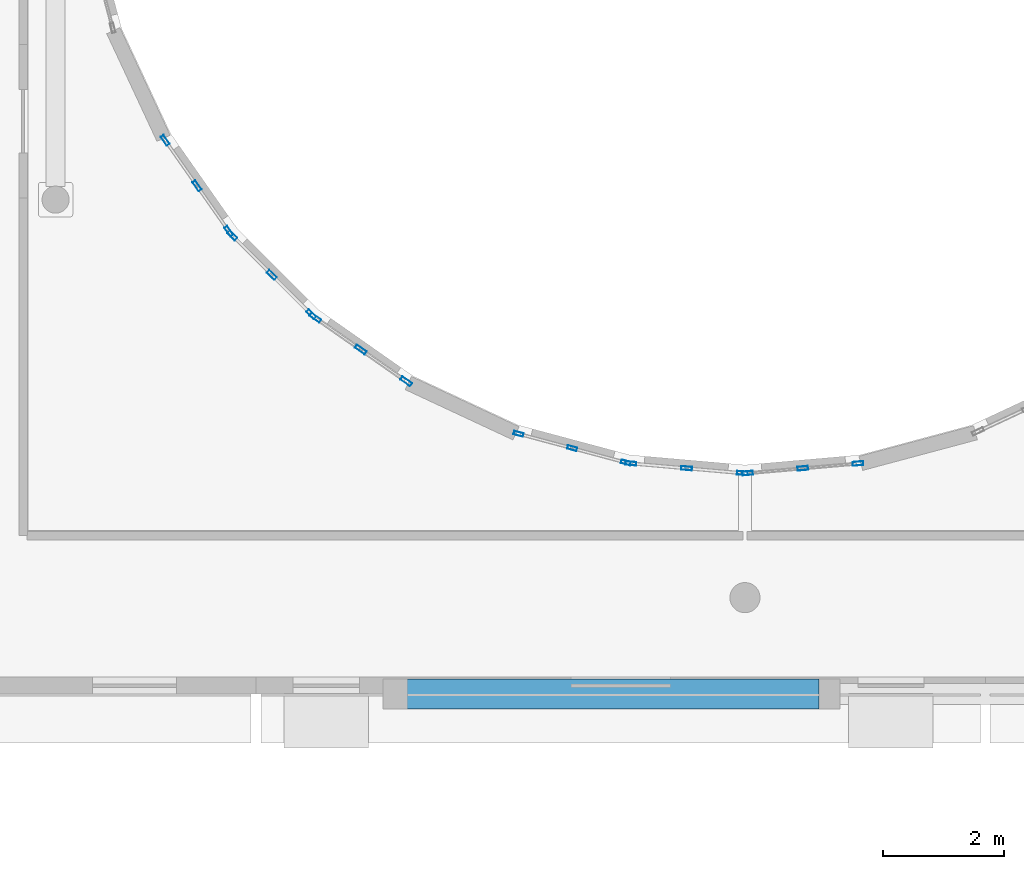
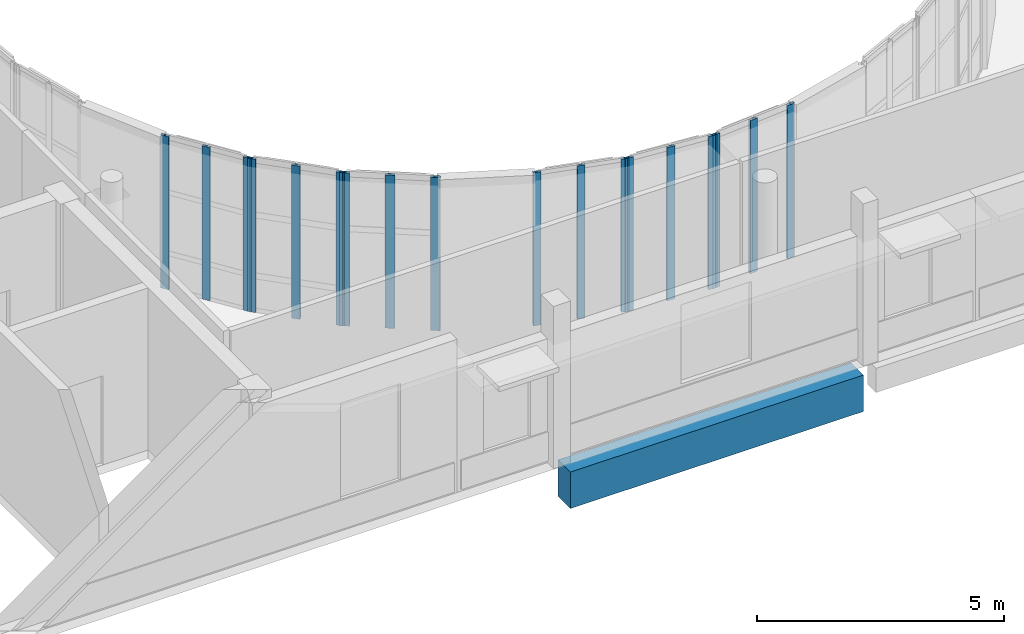
# One storey, part 16 of 89: 18 members, 1 beam, 6 elements without a shape of their own.
"""IFC4 building model written with IfcOpenShell, lengths in metres."""

from ifc_helpers import new_model, si_unit, direction, frame, origin, origin_2d, place, context, subcontext, project, spatial, rectangle, hollow_rectangle, extrude, material, layer, layer_set, material_profile, profile_set, type_object, element, aggregate, save


model = new_model("IFC4")

# Units and contexts
model_context = context("Model", 3, precision=1e-05, world=origin(), true_north=direction((0.0, 1.0)))
body_context = subcontext(model_context, "Body", "Model", "MODEL_VIEW")
ifc_project = project(units=[si_unit("LENGTHUNIT", "METRE"), si_unit("AREAUNIT", "SQUARE_METRE"), si_unit("VOLUMEUNIT", "CUBIC_METRE"), si_unit("PLANEANGLEUNIT", "RADIAN"), si_unit("MASSUNIT", "GRAM", prefix="KILO")], contexts=[model_context])

# Site, building, storey
site_placement = place(None, origin())
site = spatial("IfcSite", under=ifc_project, at=site_placement, CompositionType="ELEMENT")
building_placement = place(site_placement, origin())
building = spatial("IfcBuilding", under=site, at=building_placement, Name="Kelanivale Promenade Academy", CompositionType="ELEMENT")
storey_placement = place(building_placement, frame((0.0, 0.0, 12.199951171875)))
storey = spatial("IfcBuildingStorey", under=building, at=storey_placement, Name="L03", CompositionType="ELEMENT", Elevation=12.199951171875)

# Beam
ifc_material_1 = material(Name="Concrete C35/45", Category="concrete")
ifc_material_profile_1 = material_profile(ifc_material_1, rectangle(XDim=0.5, YDim=0.89990234375, at=origin_2d()), Name="RC-BM 500x900")
ifc_profile_set_1 = profile_set([ifc_material_profile_1], Name="Concrete C35/45")
beam_type = type_object("IfcBeamType", Name="BM-08 RC-BM 500x900", PredefinedType="BEAM", material=ifc_profile_set_1)
beam_placement = place(storey_placement, frame((57.794921875, 42.0, -0.669921875), z_axis=(1.0, 0.0, 0.0), x_axis=(0.0, 1.0, 0.0)))
element("IfcBeam", 1, at=beam_placement, inside=storey, type_object=beam_type, Name="L03 girder BM-08", PredefinedType="BEAM", context=body_context, shape_type="SweptSolid", body=[
    extrude(rectangle(XDim=0.5, YDim=0.89990234375, at=origin_2d()), origin(), (0.0, 0.0, 1.0), 6.8349609375),
])

# Curtain wall, members
ifc_material_2 = material(Name="Bronze anodised aluminium and solar-control low-E glass", Category="aluminium")
ifc_layer_1 = layer(ifc_material_2, 0.179931640625)
ifc_layer_set_1 = layer_set([ifc_layer_1], Name="Bronze anodised aluminium and solar-control low-E glass")
curtain_wall_type_1 = type_object("IfcCurtainWallType", Name="CW-05 Curtain Wall 1950mm Module", PredefinedType="USERDEFINED", material=ifc_layer_set_1)
curtain_wall_1_placement = place(storey_placement, origin())
curtain_wall_1 = element("IfcCurtainWall", 2, at=curtain_wall_1_placement, inside=storey, type_object=curtain_wall_type_1, Name="L03 courtyard curtain wall CW-05", ObjectType="UNITISED GLAZING", PredefinedType="USERDEFINED")
ifc_material_3 = material(Name="Bronze anodised aluminium EN AW-6063 T6", Category="aluminium")
ifc_material_profile_2 = material_profile(ifc_material_3, hollow_rectangle(XDim=0.06005859375, YDim=0.159912109375, WallThickness=0.00390625, at=origin_2d()), Name="ALU 60x160x4.0")
ifc_profile_set_2 = profile_set([ifc_material_profile_2], Name="Bronze anodised aluminium EN AW-6063 T6")
member_type_1 = type_object("IfcMemberType", Name="CWM-01 ALU 60x160x4.0", PredefinedType="MULLION", material=ifc_profile_set_2)
member_1_placement = place(storey_placement, frame((59.64501953125, 46.316162109375, 0.0), z_axis=(0.0, 0.0, 1.0), x_axis=(0.258578458902, 0.965990259056, 0.0)))
member_1 = element("IfcMember", 3, at=member_1_placement, type_object=member_type_1, Name="CW-05 mullion 1", PredefinedType="MULLION", context=body_context, shape_type="SweptSolid", body=[
    extrude(hollow_rectangle(XDim=0.06005859375, YDim=0.159912109375, WallThickness=0.00390625, at=origin_2d()), origin(), (0.0, 0.0, 1.0), 3.780029296875),
])
member_2_placement = place(storey_placement, frame((60.534912109375, 46.077880859375, 0.0), z_axis=(0.0, 0.0, 1.0), x_axis=(0.258578458902, 0.965990259056, 0.0)))
member_2 = element("IfcMember", 4, at=member_2_placement, type_object=member_type_1, Name="CW-05 mullion 2", PredefinedType="MULLION", context=body_context, shape_type="SweptSolid", body=[
    extrude(hollow_rectangle(XDim=0.06005859375, YDim=0.159912109375, WallThickness=0.00390625, at=origin_2d()), origin(), (0.0, 0.0, 1.0), 3.780029296875),
])
member_3_placement = place(storey_placement, frame((61.425048828125, 45.83984375, 0.0), z_axis=(0.0, 0.0, 1.0), x_axis=(0.258578458902, 0.965990259056, 0.0)))
member_3 = element("IfcMember", 5, at=member_3_placement, type_object=member_type_1, Name="CW-05 mullion 3", PredefinedType="MULLION", context=body_context, shape_type="SweptSolid", body=[
    extrude(hollow_rectangle(XDim=0.06005859375, YDim=0.159912109375, WallThickness=0.00390625, at=origin_2d()), origin(), (0.0, 0.0, 1.0), 3.780029296875),
])
aggregate(curtain_wall_1, [member_1, member_2, member_3])

ifc_layer_2 = layer(ifc_material_2, 0.179931640625)
ifc_layer_set_2 = layer_set([ifc_layer_2], Name="Bronze anodised aluminium and solar-control low-E glass")
curtain_wall_type_2 = type_object("IfcCurtainWallType", Name="CW-02 Curtain Wall 1500mm Module", PredefinedType="USERDEFINED", material=ifc_layer_set_2)
curtain_wall_2_placement = place(storey_placement, origin())
curtain_wall_2 = element("IfcCurtainWall", 6, at=curtain_wall_2_placement, inside=storey, type_object=curtain_wall_type_2, Name="L03 courtyard curtain wall CW-02", ObjectType="UNITISED GLAZING", PredefinedType="USERDEFINED")
ifc_material_profile_3 = material_profile(ifc_material_3, hollow_rectangle(XDim=0.06005859375, YDim=0.179931640625, WallThickness=0.00390625, at=origin_2d()), Name="ALU 60x180x4.0")
ifc_profile_set_3 = profile_set([ifc_material_profile_3], Name="Bronze anodised aluminium EN AW-6063 T6")
member_type_2 = type_object("IfcMemberType", Name="CWM-02 ALU 60x180x4.0", PredefinedType="MULLION", material=ifc_profile_set_3)
member_4_placement = place(storey_placement, frame((53.78515625, 51.183349609375, 0.0), z_axis=(0.0, 0.0, 1.0), x_axis=(0.819305982099, 0.573356527561, 0.0)))
member_4 = element("IfcMember", 7, at=member_4_placement, type_object=member_type_2, Name="CW-02 mullion 1", PredefinedType="MULLION", context=body_context, shape_type="SweptSolid", body=[
    extrude(hollow_rectangle(XDim=0.06005859375, YDim=0.179931640625, WallThickness=0.00390625, at=origin_2d()), origin(), (0.0, 0.0, 1.0), 3.780029296875),
])
member_5_placement = place(storey_placement, frame((54.3134765625, 50.428466796875, 0.0), z_axis=(0.0, 0.0, 1.0), x_axis=(0.819305982099, 0.573356527561, 0.0)))
member_5 = element("IfcMember", 8, at=member_5_placement, type_object=member_type_2, Name="CW-02 mullion 2", PredefinedType="MULLION", context=body_context, shape_type="SweptSolid", body=[
    extrude(hollow_rectangle(XDim=0.06005859375, YDim=0.179931640625, WallThickness=0.00390625, at=origin_2d()), origin(), (0.0, 0.0, 1.0), 3.780029296875),
])
member_6_placement = place(storey_placement, frame((54.841796875, 49.673583984375, 0.0), z_axis=(0.0, 0.0, 1.0), x_axis=(0.819305982099, 0.573356527561, 0.0)))
member_6 = element("IfcMember", 9, at=member_6_placement, type_object=member_type_2, Name="CW-02 mullion 3", PredefinedType="MULLION", context=body_context, shape_type="SweptSolid", body=[
    extrude(hollow_rectangle(XDim=0.06005859375, YDim=0.179931640625, WallThickness=0.00390625, at=origin_2d()), origin(), (0.0, 0.0, 1.0), 3.780029296875),
])
aggregate(curtain_wall_2, [member_4, member_5, member_6])

ifc_layer_3 = layer(ifc_material_2, 0.159912109375)
ifc_layer_set_3 = layer_set([ifc_layer_3], Name="Bronze anodised aluminium and solar-control low-E glass")
curtain_wall_type_3 = type_object("IfcCurtainWallType", Name="CW-06 Curtain Wall 1200mm Module", PredefinedType="USERDEFINED", material=ifc_layer_set_3)
curtain_wall_3_placement = place(storey_placement, origin())
curtain_wall_3 = element("IfcCurtainWall", 10, at=curtain_wall_3_placement, inside=storey, type_object=curtain_wall_type_3, Name="L03 courtyard curtain wall CW-06", ObjectType="UNITISED GLAZING", PredefinedType="USERDEFINED")
member_7_placement = place(storey_placement, frame((61.5078125, 45.825439453125, 0.0), z_axis=(0.0, 0.0, 1.0), x_axis=(0.087102249164, 0.996199376727, 0.0)))
member_7 = element("IfcMember", 11, at=member_7_placement, type_object=member_type_2, Name="CW-06 mullion 1", PredefinedType="MULLION", context=body_context, shape_type="SweptSolid", body=[
    extrude(hollow_rectangle(XDim=0.06005859375, YDim=0.179931640625, WallThickness=0.00390625, at=origin_2d()), origin(), (0.0, 0.0, 1.0), 3.780029296875),
])
member_8_placement = place(storey_placement, frame((62.43310546875, 45.744384765625, 0.0), z_axis=(0.0, 0.0, 1.0), x_axis=(0.087102249164, 0.996199376727, 0.0)))
member_8 = element("IfcMember", 12, at=member_8_placement, type_object=member_type_2, Name="CW-06 mullion 2", PredefinedType="MULLION", context=body_context, shape_type="SweptSolid", body=[
    extrude(hollow_rectangle(XDim=0.06005859375, YDim=0.179931640625, WallThickness=0.00390625, at=origin_2d()), origin(), (0.0, 0.0, 1.0), 3.780029296875),
])
member_9_placement = place(storey_placement, frame((63.358154296875, 45.66357421875, 0.0), z_axis=(0.0, 0.0, 1.0), x_axis=(0.087102249164, 0.996199376727, 0.0)))
member_9 = element("IfcMember", 13, at=member_9_placement, type_object=member_type_2, Name="CW-06 mullion 3", PredefinedType="MULLION", context=body_context, shape_type="SweptSolid", body=[
    extrude(hollow_rectangle(XDim=0.06005859375, YDim=0.179931640625, WallThickness=0.00390625, at=origin_2d()), origin(), (0.0, 0.0, 1.0), 3.780029296875),
])
aggregate(curtain_wall_3, [member_7, member_8, member_9])

ifc_layer_4 = layer(ifc_material_2, 0.159912109375)
ifc_layer_set_4 = layer_set([ifc_layer_4], Name="Bronze anodised aluminium and solar-control low-E glass")
curtain_wall_type_4 = type_object("IfcCurtainWallType", Name="CW-03 Curtain Wall 1650mm Module", PredefinedType="USERDEFINED", material=ifc_layer_set_4)
curtain_wall_4_placement = place(storey_placement, origin())
curtain_wall_4 = element("IfcCurtainWall", 14, at=curtain_wall_4_placement, inside=storey, type_object=curtain_wall_type_4, Name="L03 courtyard curtain wall CW-03", ObjectType="UNITISED GLAZING", PredefinedType="USERDEFINED")
ifc_material_profile_4 = material_profile(ifc_material_3, hollow_rectangle(XDim=0.06494140625, YDim=0.175048828125, WallThickness=0.00390625, at=origin_2d()), Name="ALU 65x175x4.0")
ifc_profile_set_4 = profile_set([ifc_material_profile_4], Name="Bronze anodised aluminium EN AW-6063 T6")
member_type_3 = type_object("IfcMemberType", Name="CWM-03 ALU 65x175x4.0", PredefinedType="MULLION", material=ifc_profile_set_4)
member_10_placement = place(storey_placement, frame((54.89794921875, 49.60693359375, 0.0), z_axis=(0.0, 0.0, 1.0), x_axis=(0.707106781187, 0.707106781187, 0.0)))
member_10 = element("IfcMember", 15, at=member_10_placement, type_object=member_type_3, Name="CW-03 mullion 1", PredefinedType="MULLION", context=body_context, shape_type="SweptSolid", body=[
    extrude(hollow_rectangle(XDim=0.06494140625, YDim=0.175048828125, WallThickness=0.00390625, at=origin_2d()), origin(), (0.0, 0.0, 1.0), 3.780029296875),
])
member_11_placement = place(storey_placement, frame((55.552490234375, 48.952392578125, 0.0), z_axis=(0.0, 0.0, 1.0), x_axis=(0.707106781187, 0.707106781187, 0.0)))
member_11 = element("IfcMember", 16, at=member_11_placement, type_object=member_type_3, Name="CW-03 mullion 2", PredefinedType="MULLION", context=body_context, shape_type="SweptSolid", body=[
    extrude(hollow_rectangle(XDim=0.06494140625, YDim=0.175048828125, WallThickness=0.00390625, at=origin_2d()), origin(), (0.0, 0.0, 1.0), 3.780029296875),
])
member_12_placement = place(storey_placement, frame((56.20703125, 48.298095703125, 0.0), z_axis=(0.0, 0.0, 1.0), x_axis=(0.707106781187, 0.707106781187, 0.0)))
member_12 = element("IfcMember", 17, at=member_12_placement, type_object=member_type_3, Name="CW-03 mullion 3", PredefinedType="MULLION", context=body_context, shape_type="SweptSolid", body=[
    extrude(hollow_rectangle(XDim=0.06494140625, YDim=0.175048828125, WallThickness=0.00390625, at=origin_2d()), origin(), (0.0, 0.0, 1.0), 3.780029296875),
])
aggregate(curtain_wall_4, [member_10, member_11, member_12])

ifc_layer_5 = layer(ifc_material_2, 0.169921875)
ifc_layer_set_5 = layer_set([ifc_layer_5], Name="Bronze anodised aluminium and solar-control low-E glass")
curtain_wall_type_5 = type_object("IfcCurtainWallType", Name="CW-07 Curtain Wall 1350mm Module", PredefinedType="USERDEFINED", material=ifc_layer_set_5)
curtain_wall_5_placement = place(storey_placement, origin())
curtain_wall_5 = element("IfcCurtainWall", 18, at=curtain_wall_5_placement, inside=storey, type_object=curtain_wall_type_5, Name="L03 courtyard curtain wall CW-07", ObjectType="UNITISED GLAZING", PredefinedType="USERDEFINED")
member_13_placement = place(storey_placement, frame((63.4443359375, 45.663818359375, 0.0), z_axis=(0.0, 0.0, 1.0), x_axis=(-0.087264768066, 0.996185153601, 0.0)))
member_13 = element("IfcMember", 19, at=member_13_placement, type_object=member_type_3, Name="CW-07 mullion 1", PredefinedType="MULLION", context=body_context, shape_type="SweptSolid", body=[
    extrude(hollow_rectangle(XDim=0.06494140625, YDim=0.175048828125, WallThickness=0.00390625, at=origin_2d()), origin(), (0.0, 0.0, 1.0), 3.780029296875),
])
member_14_placement = place(storey_placement, frame((64.359619140625, 45.743896484375, 0.0), z_axis=(0.0, 0.0, 1.0), x_axis=(-0.087264768066, 0.996185153601, 0.0)))
member_14 = element("IfcMember", 20, at=member_14_placement, type_object=member_type_3, Name="CW-07 mullion 2", PredefinedType="MULLION", context=body_context, shape_type="SweptSolid", body=[
    extrude(hollow_rectangle(XDim=0.06494140625, YDim=0.175048828125, WallThickness=0.00390625, at=origin_2d()), origin(), (0.0, 0.0, 1.0), 3.780029296875),
])
member_15_placement = place(storey_placement, frame((65.274658203125, 45.82421875, 0.0), z_axis=(0.0, 0.0, 1.0), x_axis=(-0.087264768066, 0.996185153601, 0.0)))
member_15 = element("IfcMember", 21, at=member_15_placement, type_object=member_type_3, Name="CW-07 mullion 3", PredefinedType="MULLION", context=body_context, shape_type="SweptSolid", body=[
    extrude(hollow_rectangle(XDim=0.06494140625, YDim=0.175048828125, WallThickness=0.00390625, at=origin_2d()), origin(), (0.0, 0.0, 1.0), 3.780029296875),
])
aggregate(curtain_wall_5, [member_13, member_14, member_15])

ifc_layer_6 = layer(ifc_material_2, 0.169921875)
ifc_layer_set_6 = layer_set([ifc_layer_6], Name="Bronze anodised aluminium and solar-control low-E glass")
curtain_wall_type_6 = type_object("IfcCurtainWallType", Name="CW-04 Curtain Wall 1800mm Module", PredefinedType="USERDEFINED", material=ifc_layer_set_6)
curtain_wall_6_placement = place(storey_placement, origin())
curtain_wall_6 = element("IfcCurtainWall", 22, at=curtain_wall_6_placement, inside=storey, type_object=curtain_wall_type_6, Name="L03 courtyard curtain wall CW-04", ObjectType="UNITISED GLAZING", PredefinedType="USERDEFINED")
ifc_material_profile_5 = material_profile(ifc_material_3, hollow_rectangle(XDim=0.06494140625, YDim=0.199951171875, WallThickness=0.00439453125, at=origin_2d()), Name="ALU 65x200x4.5")
ifc_profile_set_5 = profile_set([ifc_material_profile_5], Name="Bronze anodised aluminium EN AW-6063 T6")
member_type_4 = type_object("IfcMemberType", Name="CWM-04 ALU 65x200x4.5", PredefinedType="MULLION", material=ifc_profile_set_5)
member_16_placement = place(storey_placement, frame((56.275634765625, 48.240478515625, 0.0), z_axis=(0.0, 0.0, 1.0), x_axis=(0.573356527561, 0.819305982099, 0.0)))
member_16 = element("IfcMember", 23, at=member_16_placement, type_object=member_type_4, Name="CW-04 mullion 1", PredefinedType="MULLION", context=body_context, shape_type="SweptSolid", body=[
    extrude(hollow_rectangle(XDim=0.06494140625, YDim=0.199951171875, WallThickness=0.00439453125, at=origin_2d()), origin(), (0.0, 0.0, 1.0), 3.780029296875),
])
member_17_placement = place(storey_placement, frame((57.028564453125, 47.71337890625, 0.0), z_axis=(0.0, 0.0, 1.0), x_axis=(0.573356527561, 0.819305982099, 0.0)))
member_17 = element("IfcMember", 24, at=member_17_placement, type_object=member_type_4, Name="CW-04 mullion 2", PredefinedType="MULLION", context=body_context, shape_type="SweptSolid", body=[
    extrude(hollow_rectangle(XDim=0.06494140625, YDim=0.199951171875, WallThickness=0.00439453125, at=origin_2d()), origin(), (0.0, 0.0, 1.0), 3.780029296875),
])
member_18_placement = place(storey_placement, frame((57.781494140625, 47.1865234375, 0.0), z_axis=(0.0, 0.0, 1.0), x_axis=(0.573356527561, 0.819305982099, 0.0)))
member_18 = element("IfcMember", 25, at=member_18_placement, type_object=member_type_4, Name="CW-04 mullion 3", PredefinedType="MULLION", context=body_context, shape_type="SweptSolid", body=[
    extrude(hollow_rectangle(XDim=0.06494140625, YDim=0.199951171875, WallThickness=0.00439453125, at=origin_2d()), origin(), (0.0, 0.0, 1.0), 3.780029296875),
])
aggregate(curtain_wall_6, [member_16, member_17, member_18])

save(model, "model.ifc")
